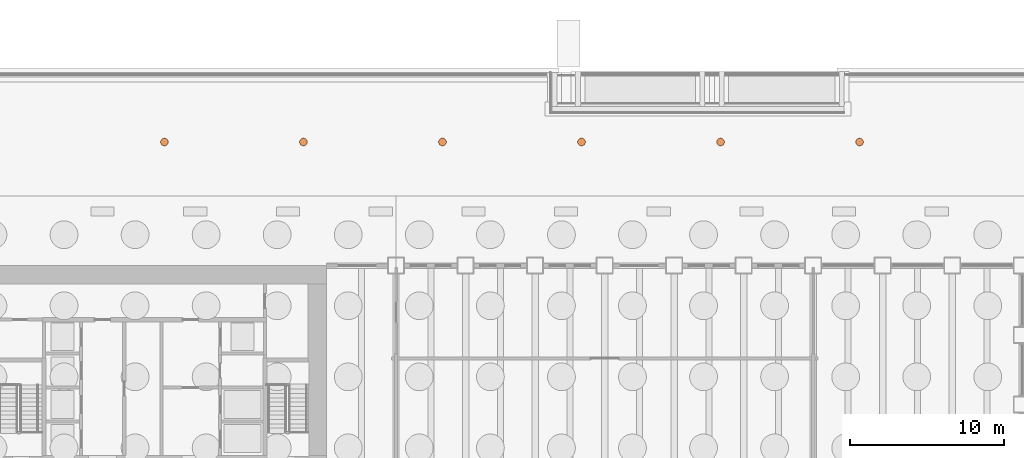
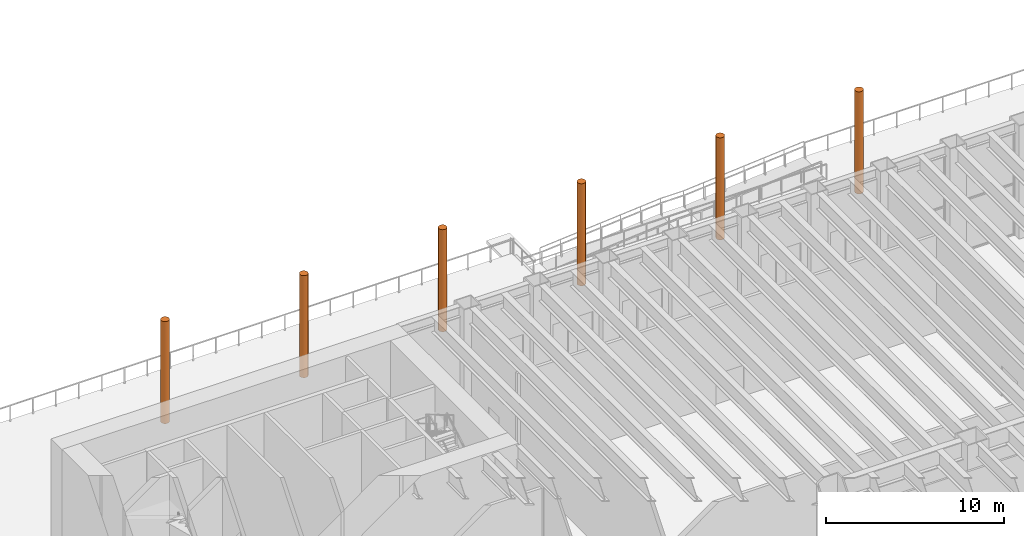
# One storey, part 26 of 26: 6 geographic elements.
"""IFC4 building model written with IfcOpenShell, lengths in metres."""

from ifc_helpers import new_model, si_unit, direction, frame, origin, origin_2d, place, context, subcontext, project, spatial, circle, extrude, material, type_object, element, save


model = new_model("IFC4")

# Units and contexts
model_context = context("Model", 3, precision=1e-05, world=origin(), true_north=direction((0.0, 1.0)))
body_context = subcontext(model_context, "Body", "Model", "MODEL_VIEW")
ifc_project = project(units=[si_unit("LENGTHUNIT", "METRE"), si_unit("AREAUNIT", "SQUARE_METRE"), si_unit("VOLUMEUNIT", "CUBIC_METRE"), si_unit("PLANEANGLEUNIT", "RADIAN"), si_unit("MASSUNIT", "GRAM", prefix="KILO")], contexts=[model_context])

# Site, building, storey
site_placement = place(None, origin())
site = spatial("IfcSite", under=ifc_project, at=site_placement, CompositionType="ELEMENT")
building_placement = place(site_placement, origin())
building = spatial("IfcBuilding", under=site, at=building_placement, Name="Sennacour Bend Tower", CompositionType="ELEMENT")
storey_placement = place(building_placement, origin())
storey = spatial("IfcBuildingStorey", under=building, at=storey_placement, Name="L00", CompositionType="ELEMENT", Elevation=0.0)

# Geographic elements
ifc_material = material(Name="Planting soil with planting")
geographic_element_type = type_object("IfcGeographicElementType", Name="TR-TREE-PLAZA", PredefinedType="USERDEFINED", material=ifc_material)
for number, where, z_axis, x_axis, name in (
    (1, (12.0, 57.5, 7.0), (0.0, 0.0, -1.0), (1.0, 0.0, 0.0), "Plaza tree"),
    (2, (21.0, 57.5, 7.0), (0.0, 0.0, -1.0), (1.0, 0.0, 0.0), "Plaza tree"),
    (3, (30.0, 57.5, 7.0), (0.0, 0.0, -1.0), (1.0, 0.0, 0.0), "Plaza tree"),
    (4, (39.0, 57.5, 7.0), (0.0, 0.0, -1.0), (1.0, 0.0, 0.0), "Plaza tree"),
    (5, (48.0, 57.5, 7.0), (0.0, 0.0, -1.0), (1.0, 0.0, 0.0), "Plaza tree"),
    (6, (57.0, 57.5, 7.0), (0.0, 0.0, -1.0), (1.0, 0.0, 0.0), "Plaza tree"),
):
    element("IfcGeographicElement", number, at=place(storey_placement, frame(where, z_axis=z_axis, x_axis=x_axis)), inside=storey, type_object=geographic_element_type, Name=name, ObjectType="TREE", PredefinedType="USERDEFINED", context=body_context, shape_type="SweptSolid", body=[
        extrude(circle(Radius=0.25, at=origin_2d()), origin(), (0.0, 0.0, 1.0), 7.0),
    ])

save(model, "model.ifc")
